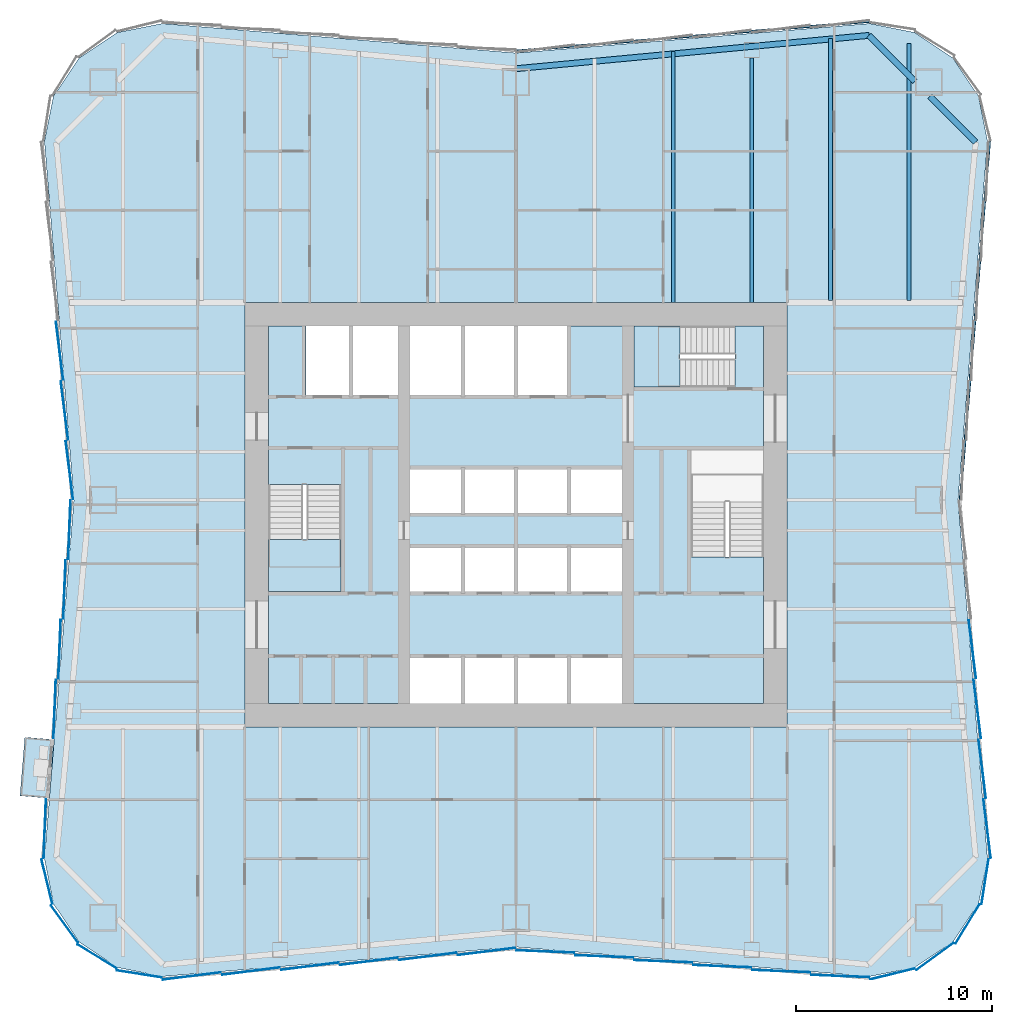
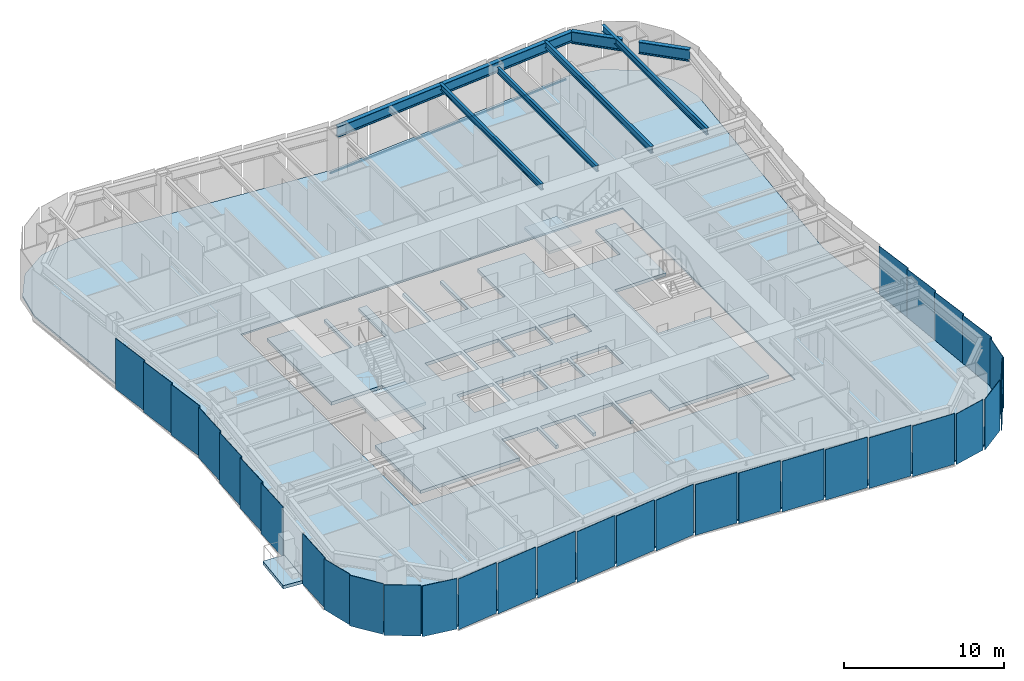
# One storey, part 2 of 9: 32 plates, 7 beams, 5 slabs, 2 members, 8 elements without a shape of their own.
"""IFC4 building model written with IfcOpenShell, lengths in metres."""

from ifc_helpers import new_model, si_unit, direction, frame, origin, origin_2d, place, context, subcontext, project, spatial, polyline, rectangle, i_section, outline, extrude, material, layer, layer_set, material_profile, profile_set, type_object, element, aggregate, save


model = new_model("IFC4")

# Units and contexts
model_context = context("Model", 3, precision=1e-05, world=origin(), true_north=direction((0.0, 1.0)))
body_context = subcontext(model_context, "Body", "Model", "MODEL_VIEW")
ifc_project = project(units=[si_unit("LENGTHUNIT", "METRE"), si_unit("AREAUNIT", "SQUARE_METRE"), si_unit("VOLUMEUNIT", "CUBIC_METRE"), si_unit("PLANEANGLEUNIT", "RADIAN"), si_unit("MASSUNIT", "GRAM", prefix="KILO")], contexts=[model_context])

# Site, building, storey
site_placement = place(None, origin())
site = spatial("IfcSite", under=ifc_project, at=site_placement, CompositionType="ELEMENT")
building_placement = place(site_placement, origin())
building = spatial("IfcBuilding", under=site, at=building_placement, Name="Verdant Reach Tower", CompositionType="ELEMENT")
storey_placement = place(building_placement, frame((0.0, 0.0, 78.0)))
storey = spatial("IfcBuildingStorey", under=building, at=storey_placement, Name="L17", CompositionType="ELEMENT", Elevation=78.0)

# Curtain wall, member
ifc_material_1 = material(Name="Anodised aluminium", Category="aluminium")
curtain_wall_type = type_object("IfcCurtainWallType", Name="EN-CW SYSTEM Z1", PredefinedType="NOTDEFINED", material=ifc_material_1)
curtain_wall_1_placement = place(storey_placement, origin())
curtain_wall_1 = element("IfcCurtainWall", 1, at=curtain_wall_1_placement, inside=storey, type_object=curtain_wall_type, Name="Curtain wall east, L17", PredefinedType="NOTDEFINED")
ifc_material_profile_1 = material_profile(ifc_material_1, rectangle(XDim=0.10009765625, YDim=0.1220703125, at=origin_2d()), Name="Transom 122x100")
ifc_profile_set_1 = profile_set([ifc_material_profile_1], Name="Anodised aluminium")
member_type = type_object("IfcMemberType", Name="EN-TRANSOM Z1", PredefinedType="USERDEFINED", material=ifc_profile_set_1)
member_1_placement = place(storey_placement, frame((22.60546875, 28.781005859375, -0.2890625), z_axis=(0.081886623329, 0.996641651207, 0.0), x_axis=(-0.996641651207, 0.081886623329, 0.0)))
member_1 = element("IfcMember", 2, at=member_1_placement, type_object=member_type, Name="Transom east face part 2 1.1, L17", ObjectType="TRANSOM", PredefinedType="USERDEFINED", context=body_context, shape_type="SweptSolid", body=[
    extrude(rectangle(XDim=0.10009765625, YDim=0.1220703125, at=origin_2d()), origin(), (0.0, 0.0, 1.0), 18.25537109375),
])

curtain_wall_2_placement = place(storey_placement, origin())
curtain_wall_2 = element("IfcCurtainWall", 3, at=curtain_wall_2_placement, inside=storey, type_object=curtain_wall_type, Name="Curtain wall north, L17", PredefinedType="NOTDEFINED")
member_2_placement = place(storey_placement, frame((17.974853515625, 53.100341796875, -0.2890625), z_axis=(-0.996547815143, -0.083020793384, 0.0), x_axis=(0.083020793384, -0.996547815143, 0.0)))
member_2 = element("IfcMember", 4, at=member_2_placement, type_object=member_type, Name="Transom north face part 1 1.1, L17", ObjectType="TRANSOM", PredefinedType="USERDEFINED", context=body_context, shape_type="SweptSolid", body=[
    extrude(rectangle(XDim=0.10009765625, YDim=0.1220703125, at=origin_2d()), origin(), (0.0, 0.0, 1.0), 18.006103515625),
])
aggregate(curtain_wall_2, [member_2])

# Beams
ifc_material_2 = material(Name="Steel S355", Category="steel")
ifc_material_profile_2 = material_profile(ifc_material_2, i_section(OverallWidth=0.18994140625, OverallDepth=0.449951171875, WebThickness=0.009521484375, FlangeThickness=0.0146484375, FilletRadius=0.02099609375, at=origin_2d()), Name="IPE 450")
ifc_profile_set_2 = profile_set([ifc_material_profile_2], Name="Steel S355")
beam_type_1 = type_object("IfcBeamType", Name="ST-JOIST-IPE450", PredefinedType="JOIST", material=ifc_profile_set_2)
beam_1_placement = place(storey_placement, frame((8.0, 38.800048828125, 3.64501953125), z_axis=(0.0, 1.0, 0.0), x_axis=(-1.0, 0.0, 0.0)))
element("IfcBeam", 5, at=beam_1_placement, inside=storey, type_object=beam_type_1, Name="Floor joist, L17", PredefinedType="JOIST", context=body_context, shape_type="SweptSolid", body=[
    extrude(i_section(OverallWidth=0.18994140625, OverallDepth=0.449951171875, WebThickness=0.009521484375, FlangeThickness=0.0146484375, FilletRadius=0.02099609375, at=origin_2d()), origin(), (0.0, 0.0, 1.0), 12.7646484375),
])
beam_2_placement = place(storey_placement, frame((12.0, 38.800048828125, 3.64501953125), z_axis=(0.0, 1.0, 0.0), x_axis=(-1.0, 0.0, 0.0)))
element("IfcBeam", 6, at=beam_2_placement, inside=storey, type_object=beam_type_1, Name="Floor joist, L17", PredefinedType="JOIST", context=body_context, shape_type="SweptSolid", body=[
    extrude(i_section(OverallWidth=0.18994140625, OverallDepth=0.449951171875, WebThickness=0.009521484375, FlangeThickness=0.0146484375, FilletRadius=0.02099609375, at=origin_2d()), origin(), (0.0, 0.0, 1.0), 12.449951171875),
])
ifc_material_profile_3 = material_profile(ifc_material_2, i_section(OverallWidth=0.199951171875, OverallDepth=0.5, WebThickness=0.01025390625, FlangeThickness=0.01611328125, FilletRadius=0.02099609375, at=origin_2d()), Name="IPE 500")
ifc_profile_set_3 = profile_set([ifc_material_profile_3], Name="Steel S355")
beam_type_2 = type_object("IfcBeamType", Name="ST-JOIST-IPE500", PredefinedType="JOIST", material=ifc_profile_set_3)
beam_3_placement = place(storey_placement, frame((16.0, 38.89990234375, 3.6201171875), z_axis=(0.0, 1.0, 0.0), x_axis=(-1.0, 0.0, 0.0)))
element("IfcBeam", 7, at=beam_3_placement, inside=storey, type_object=beam_type_2, Name="Floor joist, L17", PredefinedType="JOIST", context=body_context, shape_type="SweptSolid", body=[
    extrude(i_section(OverallWidth=0.199951171875, OverallDepth=0.5, WebThickness=0.01025390625, FlangeThickness=0.01611328125, FilletRadius=0.02099609375, at=origin_2d()), origin(), (0.0, 0.0, 1.0), 13.331298828125),
])
beam_4_placement = place(storey_placement, frame((20.0, 38.89990234375, 3.6201171875), z_axis=(0.0, 1.0, 0.0), x_axis=(-1.0, 0.0, 0.0)))
element("IfcBeam", 8, at=beam_4_placement, inside=storey, type_object=beam_type_2, Name="Floor joist, L17", PredefinedType="JOIST", context=body_context, shape_type="SweptSolid", body=[
    extrude(i_section(OverallWidth=0.199951171875, OverallDepth=0.5, WebThickness=0.01025390625, FlangeThickness=0.01611328125, FilletRadius=0.02099609375, at=origin_2d()), origin(), (0.0, 0.0, 1.0), 13.090576171875),
])
ifc_material_profile_4 = material_profile(ifc_material_2, i_section(OverallWidth=0.300048828125, OverallDepth=0.800048828125, WebThickness=0.017578125, FlangeThickness=0.032958984375, FilletRadius=0.030029296875, at=origin_2d()), Name="HEB 800")
ifc_profile_set_4 = profile_set([ifc_material_profile_4], Name="Steel S355")
beam_type_3 = type_object("IfcBeamType", Name="ST-SPANDREL-HEB800", PredefinedType="SPANDREL", material=ifc_profile_set_4)
beam_5_placement = place(storey_placement, frame((0.0, 50.699951171875, 3.469970703125), z_axis=(0.995578571765, 0.093932462137, 0.0), x_axis=(-0.093932462137, 0.995578571765, 0.0)))
element("IfcBeam", 9, at=beam_5_placement, inside=storey, type_object=beam_type_3, Name="Edge beam, L17", PredefinedType="SPANDREL", context=body_context, shape_type="SweptSolid", body=[
    extrude(i_section(OverallWidth=0.300048828125, OverallDepth=0.800048828125, WebThickness=0.017578125, FlangeThickness=0.032958984375, FilletRadius=0.030029296875, at=origin_2d()), origin(), (0.0, 0.0, 1.0), 18.045654296875),
])
ifc_material_profile_5 = material_profile(ifc_material_2, i_section(OverallWidth=0.302001953125, OverallDepth=0.909912109375, WebThickness=0.02099609375, FlangeThickness=0.0400390625, FilletRadius=0.030029296875, at=origin_2d()), Name="HEM 900")
ifc_profile_set_5 = profile_set([ifc_material_profile_5], Name="Steel S355")
beam_type_4 = type_object("IfcBeamType", Name="ST-SPANDREL-HEM900", PredefinedType="SPANDREL", material=ifc_profile_set_5)
beam_6_placement = place(storey_placement, frame((17.9658203125, 52.39501953125, 3.4150390625), z_axis=(0.707106781187, -0.707106781187, 0.0), x_axis=(0.707106781187, 0.707106781187, 0.0)))
element("IfcBeam", 10, at=beam_6_placement, inside=storey, type_object=beam_type_4, Name="Edge beam, L17", PredefinedType="SPANDREL", context=body_context, shape_type="SweptSolid", body=[
    extrude(i_section(OverallWidth=0.302001953125, OverallDepth=0.909912109375, WebThickness=0.02099609375, FlangeThickness=0.0400390625, FilletRadius=0.030029296875, at=origin_2d()), origin(), (0.0, 0.0, 1.0), 3.301025390625),
])
beam_7_placement = place(storey_placement, frame((21.060546875, 49.300048828125, 3.4150390625), z_axis=(0.707069807316, -0.707143753123, 0.0), x_axis=(0.707143753123, 0.707069807316, 0.0)))
element("IfcBeam", 11, at=beam_7_placement, inside=storey, type_object=beam_type_4, Name="Edge beam, L17", PredefinedType="SPANDREL", context=body_context, shape_type="SweptSolid", body=[
    extrude(i_section(OverallWidth=0.302001953125, OverallDepth=0.909912109375, WebThickness=0.02099609375, FlangeThickness=0.0400390625, FilletRadius=0.030029296875, at=origin_2d()), origin(), (0.0, 0.0, 1.0), 3.301513671875),
])

# Stair, slab
ifc_material_3 = material(Name="Concrete C40/50", Category="concrete")
stair_type = type_object("IfcStairType", Name="CO-STAIR", PredefinedType="HALF_TURN_STAIR", material=ifc_material_3)
stair_1_placement = place(storey_placement, origin())
stair_1 = element("IfcStair", 12, at=stair_1_placement, inside=storey, type_object=stair_type, Name="L17 Exit stair 1", PredefinedType="HALF_TURN_STAIR")
ifc_layer_1 = layer(ifc_material_3, 0.199951171875)
ifc_layer_set_1 = layer_set([ifc_layer_1], Name="CO-STAIR-LANDING")
slab_type_1 = type_object("IfcSlabType", Name="CO-STAIR-LANDING", PredefinedType="LANDING", material=ifc_layer_set_1)
slab_1_placement = place(storey_placement, frame((0.0, 0.0, 1.800048828125)))
slab_1 = element("IfcSlab", 13, at=slab_1_placement, type_object=slab_type_1, Name="ST-1 landing 1", PredefinedType="LANDING", context=body_context, shape_type="SweptSolid", body=[
    extrude(outline(polyline([(-12.60009765625, 26.75), (-12.60009765625, 24.10009765625), (-8.89990234375, 24.10009765625), (-8.89990234375, 26.75), (-12.60009765625, 26.75)])), origin(), (0.0, 0.0, 1.0), 0.199951171875),
])
aggregate(stair_1, [slab_1])

stair_2_placement = place(storey_placement, origin())
stair_2 = element("IfcStair", 14, at=stair_2_placement, inside=storey, type_object=stair_type, Name="L17 Exit stair 3", PredefinedType="HALF_TURN_STAIR")
slab_2_placement = place(storey_placement, frame((0.0, 0.0, 1.800048828125)))
slab_2 = element("IfcSlab", 15, at=slab_2_placement, type_object=slab_type_1, Name="ST-3 landing 1", PredefinedType="LANDING", context=body_context, shape_type="SweptSolid", body=[
    extrude(outline(polyline([(8.35009765625, 37.60009765625), (6.0, 37.60009765625), (6.0, 34.5), (8.35009765625, 34.5), (8.35009765625, 37.60009765625)])), origin(), (0.0, 0.0, 1.0), 0.199951171875),
])
aggregate(stair_2, [slab_2])

# Slab
ifc_material_4 = material(Name="Concrete C35/45", Category="concrete")
ifc_layer_2 = layer(ifc_material_4, 0.25)
ifc_layer_set_2 = layer_set([ifc_layer_2], Name="EN-BALCONY SLAB")
slab_type_2 = type_object("IfcSlabType", Name="EN-BALCONY SLAB", PredefinedType="FLOOR", material=ifc_layer_set_2)
slab_3_placement = place(storey_placement, frame((0.0, 0.0, -0.25)))
element("IfcSlab", 16, at=slab_3_placement, inside=storey, type_object=slab_type_2, Name="Balcony slab 1, L17", PredefinedType="FLOOR", context=body_context, shape_type="SweptSolid", body=[
    extrude(outline(polyline([(-23.50244140625, 16.552490234375), (-23.74755859375, 13.572509765625), (-25.242431640625, 13.695556640625), (-24.99755859375, 16.67529296875), (-23.50244140625, 16.552490234375)])), origin(), (0.0, 0.0, 1.0), 0.25),
])

# Curtain wall, plate
curtain_wall_3_placement = place(storey_placement, origin())
curtain_wall_3 = element("IfcCurtainWall", 17, at=curtain_wall_3_placement, inside=storey, type_object=curtain_wall_type, Name="Curtain wall south-east corner, L17", PredefinedType="NOTDEFINED")
ifc_material_5 = material(Name="Tinted glass with champagne spandrel", Category="glass")
ifc_layer_3 = layer(ifc_material_5, 0.031982421875)
ifc_layer_set_3 = layer_set([ifc_layer_3], Name="EN-PANEL CHAMPAGNE")
plate_type_1 = type_object("IfcPlateType", Name="EN-PANEL CHAMPAGNE", PredefinedType="CURTAIN_PANEL", material=ifc_layer_set_3)
plate_1_placement = place(storey_placement, frame((19.170654296875, 4.62939453125, -0.22802734375), z_axis=(0.0, 0.0, 1.0), x_axis=(0.971660685934, 0.236380014828, 0.0)))
plate_1 = element("IfcPlate", 18, at=plate_1_placement, type_object=plate_type_1, Name="Glass panel south-east corner 1.1, L17", PredefinedType="CURTAIN_PANEL", context=body_context, shape_type="SweptSolid", body=[
    extrude(rectangle(XDim=2.317626953125, YDim=0.031982421875, at=origin_2d()), origin(), (0.0, 0.0, 1.0), 3.8779296875),
])

# Curtain wall, plates
curtain_wall_4_placement = place(storey_placement, origin())
curtain_wall_4 = element("IfcCurtainWall", 19, at=curtain_wall_4_placement, inside=storey, type_object=curtain_wall_type, Name="Curtain wall west, L17", PredefinedType="NOTDEFINED")
plate_2_placement = place(storey_placement, frame((-23.2275390625, 21.154296875, -0.22802734375), z_axis=(0.0, 0.0, 1.0), x_axis=(-0.040108781752, -0.999195319057, 0.0)))
plate_2 = element("IfcPlate", 20, at=plate_2_placement, type_object=plate_type_1, Name="Glass panel west face part 2 3.1, L17", PredefinedType="CURTAIN_PANEL", context=body_context, shape_type="SweptSolid", body=[
    extrude(rectangle(XDim=2.993896484375, YDim=0.031982421875, at=origin_2d()), origin(), (0.0, 0.0, 1.0), 3.8779296875),
])
plate_3_placement = place(storey_placement, frame((-23.4775390625, 18.112548828125, -0.22802734375), z_axis=(0.0, 0.0, 1.0), x_axis=(-0.040108781752, -0.999195319057, 0.0)))
plate_3 = element("IfcPlate", 21, at=plate_3_placement, type_object=plate_type_1, Name="Glass panel west face part 2 4.1, L17", PredefinedType="CURTAIN_PANEL", context=body_context, shape_type="SweptSolid", body=[
    extrude(rectangle(XDim=2.993896484375, YDim=0.031982421875, at=origin_2d()), origin(), (0.0, 0.0, 1.0), 3.8779296875),
])

curtain_wall_5_placement = place(storey_placement, origin())
curtain_wall_5 = element("IfcCurtainWall", 22, at=curtain_wall_5_placement, inside=storey, type_object=curtain_wall_type, Name="Curtain wall south-west corner, L17", PredefinedType="NOTDEFINED")
plate_4_placement = place(storey_placement, frame((-22.97705078125, 7.174560546875, -0.22802734375), z_axis=(0.0, 0.0, 1.0), x_axis=(0.589926768145, -0.807456753161, 0.0)))
plate_4 = element("IfcPlate", 23, at=plate_4_placement, type_object=plate_type_1, Name="Glass panel south-west corner 2.1, L17", PredefinedType="CURTAIN_PANEL", context=body_context, shape_type="SweptSolid", body=[
    extrude(rectangle(XDim=2.3232421875, YDim=0.031982421875, at=origin_2d()), origin(), (0.0, 0.0, 1.0), 3.8779296875),
])
plate_5_placement = place(storey_placement, frame((-21.325439453125, 5.52294921875, -0.22802734375), z_axis=(0.0, 0.0, 1.0), x_axis=(0.85398868836, -0.520291572248, 0.0)))
plate_5 = element("IfcPlate", 24, at=plate_5_placement, type_object=plate_type_1, Name="Glass panel south-west corner 3.1, L17", PredefinedType="CURTAIN_PANEL", context=body_context, shape_type="SweptSolid", body=[
    extrude(rectangle(XDim=2.3232421875, YDim=0.031982421875, at=origin_2d()), origin(), (0.0, 0.0, 1.0), 3.8779296875),
])

curtain_wall_6_placement = place(storey_placement, origin())
curtain_wall_6 = element("IfcCurtainWall", 25, at=curtain_wall_6_placement, inside=storey, type_object=curtain_wall_type, Name="Curtain wall south, L17", PredefinedType="NOTDEFINED")
plate_6_placement = place(storey_placement, frame((-16.49853515625, 4.522216796875, -0.22802734375), z_axis=(0.0, 0.0, 1.0), x_axis=(0.99223537376, 0.124374286167, 0.0)))
plate_6 = element("IfcPlate", 26, at=plate_6_placement, type_object=plate_type_1, Name="Glass panel south face part 1 1.1, L17", PredefinedType="CURTAIN_PANEL", context=body_context, shape_type="SweptSolid", body=[
    extrude(rectangle(XDim=2.966796875, YDim=0.031982421875, at=origin_2d()), origin(), (0.0, 0.0, 1.0), 3.8779296875),
])
plate_7_placement = place(storey_placement, frame((1.49560546875, 5.772216796875, -0.22802734375), z_axis=(0.0, 0.0, 1.0), x_axis=(0.99914430697, -0.041360051381, 0.0)))
plate_7 = element("IfcPlate", 27, at=plate_7_placement, type_object=plate_type_1, Name="Glass panel south face part 2 1.1, L17", PredefinedType="CURTAIN_PANEL", context=body_context, shape_type="SweptSolid", body=[
    extrude(rectangle(XDim=2.94384765625, YDim=0.031982421875, at=origin_2d()), origin(), (0.0, 0.0, 1.0), 3.8779296875),
])
plate_8_placement = place(storey_placement, frame((4.491455078125, 5.5224609375, -0.22802734375), z_axis=(0.0, 0.0, 1.0), x_axis=(0.999149202059, -0.041241629766, 0.0)))
plate_8 = element("IfcPlate", 28, at=plate_8_placement, type_object=plate_type_1, Name="Glass panel south face part 2 2.1, L17", PredefinedType="CURTAIN_PANEL", context=body_context, shape_type="SweptSolid", body=[
    extrude(rectangle(XDim=2.952392578125, YDim=0.031982421875, at=origin_2d()), origin(), (0.0, 0.0, 1.0), 3.8779296875),
])
plate_9_placement = place(storey_placement, frame((7.491455078125, 5.2724609375, -0.22802734375), z_axis=(0.0, 0.0, 1.0), x_axis=(0.999149202059, -0.041241629766, 0.0)))
plate_9 = element("IfcPlate", 29, at=plate_9_placement, type_object=plate_type_1, Name="Glass panel south face part 2 3.1, L17", PredefinedType="CURTAIN_PANEL", context=body_context, shape_type="SweptSolid", body=[
    extrude(rectangle(XDim=2.952392578125, YDim=0.031982421875, at=origin_2d()), origin(), (0.0, 0.0, 1.0), 3.8779296875),
])

# Plate
ifc_material_6 = material(Name="Tinted glass with copper spandrel", Category="glass")
ifc_layer_4 = layer(ifc_material_6, 0.031982421875)
ifc_layer_set_4 = layer_set([ifc_layer_4], Name="EN-PANEL COPPER")
plate_type_2 = type_object("IfcPlateType", Name="EN-PANEL COPPER", PredefinedType="CURTAIN_PANEL", material=ifc_layer_set_4)
plate_10_placement = place(storey_placement, frame((21.325439453125, 5.52294921875, -0.22802734375), z_axis=(0.0, 0.0, 1.0), x_axis=(0.807456753161, 0.589926768145, 0.0)))
plate_10 = element("IfcPlate", 30, at=plate_10_placement, type_object=plate_type_2, Name="Glass panel south-east corner 2.1, L17", PredefinedType="CURTAIN_PANEL", context=body_context, shape_type="SweptSolid", body=[
    extrude(rectangle(XDim=2.3232421875, YDim=0.031982421875, at=origin_2d()), origin(), (0.0, 0.0, 1.0), 3.8779296875),
])

plate_11_placement = place(storey_placement, frame((22.97705078125, 7.174560546875, -0.22802734375), z_axis=(0.0, 0.0, 1.0), x_axis=(0.520291572248, 0.85398868836, 0.0)))
plate_11 = element("IfcPlate", 31, at=plate_11_placement, type_object=plate_type_2, Name="Glass panel south-east corner 3.1, L17", PredefinedType="CURTAIN_PANEL", context=body_context, shape_type="SweptSolid", body=[
    extrude(rectangle(XDim=2.3232421875, YDim=0.031982421875, at=origin_2d()), origin(), (0.0, 0.0, 1.0), 3.8779296875),
])

plate_12_placement = place(storey_placement, frame((23.87060546875, 9.329345703125, -0.22802734375), z_axis=(0.0, 0.0, 1.0), x_axis=(0.154247912016, 0.988032176419, 0.0)))
plate_12 = element("IfcPlate", 32, at=plate_12_placement, type_object=plate_type_2, Name="Glass panel south-east corner 4.1, L17", PredefinedType="CURTAIN_PANEL", context=body_context, shape_type="SweptSolid", body=[
    extrude(rectangle(XDim=2.3173828125, YDim=0.031982421875, at=origin_2d()), origin(), (0.0, 0.0, 1.0), 3.8779296875),
])

aggregate(curtain_wall_3, [plate_1, plate_10, plate_11, plate_12])

plate_13_placement = place(storey_placement, frame((23.977783203125, 12.022216796875, -0.22802734375), z_axis=(0.0, 0.0, 1.0), x_axis=(-0.123256305275, 0.992374870304, 0.0)))
plate_13 = element("IfcPlate", 33, at=plate_13_placement, type_object=plate_type_2, Name="Glass panel east face part 1 1.1, L17", PredefinedType="CURTAIN_PANEL", context=body_context, shape_type="SweptSolid", body=[
    extrude(rectangle(XDim=3.00830078125, YDim=0.031982421875, at=origin_2d()), origin(), (0.0, 0.0, 1.0), 3.8779296875),
])

plate_14_placement = place(storey_placement, frame((23.7275390625, 15.071044921875, -0.22802734375), z_axis=(0.0, 0.0, 1.0), x_axis=(-0.123578623975, 0.992334784081, 0.0)))
plate_14 = element("IfcPlate", 34, at=plate_14_placement, type_object=plate_type_2, Name="Glass panel east face part 1 2.1, L17", PredefinedType="CURTAIN_PANEL", context=body_context, shape_type="SweptSolid", body=[
    extrude(rectangle(XDim=2.993896484375, YDim=0.031982421875, at=origin_2d()), origin(), (0.0, 0.0, 1.0), 3.8779296875),
])

plate_15_placement = place(storey_placement, frame((-23.2275390625, 36.345703125, -0.22802734375), z_axis=(0.0, 0.0, 1.0), x_axis=(0.123578623975, -0.992334784081, 0.0)))
plate_15 = element("IfcPlate", 35, at=plate_15_placement, type_object=plate_type_2, Name="Glass panel west face part 1 4.1, L17", PredefinedType="CURTAIN_PANEL", context=body_context, shape_type="SweptSolid", body=[
    extrude(rectangle(XDim=2.993896484375, YDim=0.031982421875, at=origin_2d()), origin(), (0.0, 0.0, 1.0), 3.8779296875),
])

plate_16_placement = place(storey_placement, frame((-22.9775390625, 33.303955078125, -0.22802734375), z_axis=(0.0, 0.0, 1.0), x_axis=(0.123578623975, -0.992334784081, 0.0)))
plate_16 = element("IfcPlate", 36, at=plate_16_placement, type_object=plate_type_2, Name="Glass panel west face part 1 5.1, L17", PredefinedType="CURTAIN_PANEL", context=body_context, shape_type="SweptSolid", body=[
    extrude(rectangle(XDim=2.993896484375, YDim=0.031982421875, at=origin_2d()), origin(), (0.0, 0.0, 1.0), 3.8779296875),
])

plate_17_placement = place(storey_placement, frame((-22.727783203125, 30.2666015625, -0.22802734375), z_axis=(0.0, 0.0, 1.0), x_axis=(0.123691487663, -0.992320722287, 0.0)))
plate_17 = element("IfcPlate", 37, at=plate_17_placement, type_object=plate_type_2, Name="Glass panel west face part 1 6.1, L17", PredefinedType="CURTAIN_PANEL", context=body_context, shape_type="SweptSolid", body=[
    extrude(rectangle(XDim=2.985595703125, YDim=0.031982421875, at=origin_2d()), origin(), (0.0, 0.0, 1.0), 3.8779296875),
])

plate_18_placement = place(storey_placement, frame((-23.977783203125, 12.022216796875, -0.22802734375), z_axis=(0.0, 0.0, 1.0), x_axis=(-0.039784239139, -0.999208293759, 0.0)))
plate_18 = element("IfcPlate", 38, at=plate_18_placement, type_object=plate_type_2, Name="Glass panel west face part 2 6.1, L17", PredefinedType="CURTAIN_PANEL", context=body_context, shape_type="SweptSolid", body=[
    extrude(rectangle(XDim=3.00830078125, YDim=0.031982421875, at=origin_2d()), origin(), (0.0, 0.0, 1.0), 3.8779296875),
])

plate_19_placement = place(storey_placement, frame((-19.170654296875, 4.62939453125, -0.22802734375), z_axis=(0.0, 0.0, 1.0), x_axis=(0.988032704995, -0.154244526195, 0.0)))
plate_19 = element("IfcPlate", 39, at=plate_19_placement, type_object=plate_type_2, Name="Glass panel south-west corner 4.1, L17", PredefinedType="CURTAIN_PANEL", context=body_context, shape_type="SweptSolid", body=[
    extrude(rectangle(XDim=2.317626953125, YDim=0.031982421875, at=origin_2d()), origin(), (0.0, 0.0, 1.0), 3.8779296875),
])

plate_20_placement = place(storey_placement, frame((-13.491455078125, 4.7724609375, -0.22802734375), z_axis=(0.0, 0.0, 1.0), x_axis=(0.992194034542, 0.124703639961, 0.0)))
plate_20 = element("IfcPlate", 40, at=plate_20_placement, type_object=plate_type_2, Name="Glass panel south face part 1 2.1, L17", PredefinedType="CURTAIN_PANEL", context=body_context, shape_type="SweptSolid", body=[
    extrude(rectangle(XDim=2.952392578125, YDim=0.031982421875, at=origin_2d()), origin(), (0.0, 0.0, 1.0), 3.8779296875),
])

plate_21_placement = place(storey_placement, frame((-10.491455078125, 5.0224609375, -0.22802734375), z_axis=(0.0, 0.0, 1.0), x_axis=(0.992194034542, 0.124703639961, 0.0)))
plate_21 = element("IfcPlate", 41, at=plate_21_placement, type_object=plate_type_2, Name="Glass panel south face part 1 3.1, L17", PredefinedType="CURTAIN_PANEL", context=body_context, shape_type="SweptSolid", body=[
    extrude(rectangle(XDim=2.952392578125, YDim=0.031982421875, at=origin_2d()), origin(), (0.0, 0.0, 1.0), 3.8779296875),
])

plate_22_placement = place(storey_placement, frame((-7.491455078125, 5.2724609375, -0.22802734375), z_axis=(0.0, 0.0, 1.0), x_axis=(0.992194034542, 0.124703639961, 0.0)))
plate_22 = element("IfcPlate", 42, at=plate_22_placement, type_object=plate_type_2, Name="Glass panel south face part 1 4.1, L17", PredefinedType="CURTAIN_PANEL", context=body_context, shape_type="SweptSolid", body=[
    extrude(rectangle(XDim=2.952392578125, YDim=0.031982421875, at=origin_2d()), origin(), (0.0, 0.0, 1.0), 3.8779296875),
])

plate_23_placement = place(storey_placement, frame((10.491455078125, 5.0224609375, -0.22802734375), z_axis=(0.0, 0.0, 1.0), x_axis=(0.999149202059, -0.041241629766, 0.0)))
plate_23 = element("IfcPlate", 43, at=plate_23_placement, type_object=plate_type_2, Name="Glass panel south face part 2 4.1, L17", PredefinedType="CURTAIN_PANEL", context=body_context, shape_type="SweptSolid", body=[
    extrude(rectangle(XDim=2.952392578125, YDim=0.031982421875, at=origin_2d()), origin(), (0.0, 0.0, 1.0), 3.8779296875),
])

plate_24_placement = place(storey_placement, frame((13.491455078125, 4.7724609375, -0.22802734375), z_axis=(0.0, 0.0, 1.0), x_axis=(0.999149202059, -0.041241629766, 0.0)))
plate_24 = element("IfcPlate", 44, at=plate_24_placement, type_object=plate_type_2, Name="Glass panel south face part 2 5.1, L17", PredefinedType="CURTAIN_PANEL", context=body_context, shape_type="SweptSolid", body=[
    extrude(rectangle(XDim=2.952392578125, YDim=0.031982421875, at=origin_2d()), origin(), (0.0, 0.0, 1.0), 3.8779296875),
])

ifc_material_7 = material(Name="Tinted glass with dark bronze spandrel", Category="glass")
ifc_layer_5 = layer(ifc_material_7, 0.031982421875)
ifc_layer_set_5 = layer_set([ifc_layer_5], Name="EN-PANEL DARK")
plate_type_3 = type_object("IfcPlateType", Name="EN-PANEL DARK", PredefinedType="CURTAIN_PANEL", material=ifc_layer_set_5)
plate_25_placement = place(storey_placement, frame((23.4775390625, 18.112548828125, -0.22802734375), z_axis=(0.0, 0.0, 1.0), x_axis=(-0.123578623975, 0.992334784081, 0.0)))
plate_25 = element("IfcPlate", 45, at=plate_25_placement, type_object=plate_type_3, Name="Glass panel east face part 1 3.1, L17", PredefinedType="CURTAIN_PANEL", context=body_context, shape_type="SweptSolid", body=[
    extrude(rectangle(XDim=2.993896484375, YDim=0.031982421875, at=origin_2d()), origin(), (0.0, 0.0, 1.0), 3.8779296875),
])

plate_26_placement = place(storey_placement, frame((23.2275390625, 21.154296875, -0.22802734375), z_axis=(0.0, 0.0, 1.0), x_axis=(-0.123578623975, 0.992334784081, 0.0)))
plate_26 = element("IfcPlate", 46, at=plate_26_placement, type_object=plate_type_3, Name="Glass panel east face part 1 4.1, L17", PredefinedType="CURTAIN_PANEL", context=body_context, shape_type="SweptSolid", body=[
    extrude(rectangle(XDim=2.993896484375, YDim=0.031982421875, at=origin_2d()), origin(), (0.0, 0.0, 1.0), 3.8779296875),
])

aggregate(curtain_wall_1, [plate_13, plate_14, plate_25, plate_26, member_1])

plate_27_placement = place(storey_placement, frame((-22.727783203125, 27.2333984375, -0.22802734375), z_axis=(0.0, 0.0, 1.0), x_axis=(-0.040222426271, -0.99919075077, 0.0)))
plate_27 = element("IfcPlate", 47, at=plate_27_placement, type_object=plate_type_3, Name="Glass panel west face part 2 1.1, L17", PredefinedType="CURTAIN_PANEL", context=body_context, shape_type="SweptSolid", body=[
    extrude(rectangle(XDim=2.985595703125, YDim=0.031982421875, at=origin_2d()), origin(), (0.0, 0.0, 1.0), 3.8779296875),
])

plate_28_placement = place(storey_placement, frame((-22.9775390625, 24.196044921875, -0.22802734375), z_axis=(0.0, 0.0, 1.0), x_axis=(-0.040108781752, -0.999195319057, 0.0)))
plate_28 = element("IfcPlate", 48, at=plate_28_placement, type_object=plate_type_3, Name="Glass panel west face part 2 2.1, L17", PredefinedType="CURTAIN_PANEL", context=body_context, shape_type="SweptSolid", body=[
    extrude(rectangle(XDim=2.993896484375, YDim=0.031982421875, at=origin_2d()), origin(), (0.0, 0.0, 1.0), 3.8779296875),
])

aggregate(curtain_wall_4, [plate_15, plate_16, plate_17, plate_27, plate_28, plate_2, plate_3, plate_18])

plate_29_placement = place(storey_placement, frame((-23.87060546875, 9.329345703125, -0.22802734375), z_axis=(0.0, 0.0, 1.0), x_axis=(0.236383344544, -0.971659875894, 0.0)))
plate_29 = element("IfcPlate", 49, at=plate_29_placement, type_object=plate_type_3, Name="Glass panel south-west corner 1.1, L17", PredefinedType="CURTAIN_PANEL", context=body_context, shape_type="SweptSolid", body=[
    extrude(rectangle(XDim=2.3173828125, YDim=0.031982421875, at=origin_2d()), origin(), (0.0, 0.0, 1.0), 3.8779296875),
])

aggregate(curtain_wall_5, [plate_29, plate_4, plate_5, plate_19])

plate_30_placement = place(storey_placement, frame((-4.491455078125, 5.5224609375, -0.22802734375), z_axis=(0.0, 0.0, 1.0), x_axis=(0.992194034542, 0.124703639961, 0.0)))
plate_30 = element("IfcPlate", 50, at=plate_30_placement, type_object=plate_type_3, Name="Glass panel south face part 1 5.1, L17", PredefinedType="CURTAIN_PANEL", context=body_context, shape_type="SweptSolid", body=[
    extrude(rectangle(XDim=2.952392578125, YDim=0.031982421875, at=origin_2d()), origin(), (0.0, 0.0, 1.0), 3.8779296875),
])

plate_31_placement = place(storey_placement, frame((-1.49560546875, 5.772216796875, -0.22802734375), z_axis=(0.0, 0.0, 1.0), x_axis=(0.992179247355, 0.124821236644, 0.0)))
plate_31 = element("IfcPlate", 51, at=plate_31_placement, type_object=plate_type_3, Name="Glass panel south face part 1 6.1, L17", PredefinedType="CURTAIN_PANEL", context=body_context, shape_type="SweptSolid", body=[
    extrude(rectangle(XDim=2.94384765625, YDim=0.031982421875, at=origin_2d()), origin(), (0.0, 0.0, 1.0), 3.8779296875),
])

plate_32_placement = place(storey_placement, frame((16.49853515625, 4.522216796875, -0.22802734375), z_axis=(0.0, 0.0, 1.0), x_axis=(0.999162836679, -0.040909971885, 0.0)))
plate_32 = element("IfcPlate", 52, at=plate_32_placement, type_object=plate_type_3, Name="Glass panel south face part 2 6.1, L17", PredefinedType="CURTAIN_PANEL", context=body_context, shape_type="SweptSolid", body=[
    extrude(rectangle(XDim=2.966796875, YDim=0.031982421875, at=origin_2d()), origin(), (0.0, 0.0, 1.0), 3.8779296875),
])

aggregate(curtain_wall_6, [plate_6, plate_20, plate_21, plate_22, plate_30, plate_31, plate_7, plate_8, plate_9, plate_23, plate_24, plate_32])

# Slabs
ifc_material_8 = material(Name="Concrete C35/45", Category="concrete")
ifc_layer_6 = layer(ifc_material_8, 0.1298828125)
ifc_layer_set_6 = layer_set([ifc_layer_6], Name="ST-SLAB-130")
slab_type_3 = type_object("IfcSlabType", Name="ST-SLAB-130", PredefinedType="FLOOR", material=ifc_layer_set_6)
slab_4_placement = place(storey_placement, frame((0.0, 0.0, -0.1298828125)))
element("IfcSlab", 53, at=slab_4_placement, inside=storey, type_object=slab_type_3, Name="Floor slab L17", PredefinedType="FLOOR", context=body_context, shape_type="SweptSolid", body=[
    extrude(outline(polyline([(0.0, 6.0), (-18.0, 4.5), (-20.296142578125, 4.956787109375), (-22.24267578125, 6.25732421875), (-23.543212890625, 8.203857421875), (-24.0, 10.5), (-22.5, 28.75), (-24.0, 47.0), (-23.543212890625, 49.296142578125), (-22.24267578125, 51.24267578125), (-20.296142578125, 52.543212890625), (-18.0, 53.0), (0.0, 51.5), (18.0, 53.0), (20.296142578125, 52.543212890625), (22.24267578125, 51.24267578125), (23.543212890625, 49.296142578125), (24.0, 47.0), (22.5, 28.75), (24.0, 10.5), (23.543212890625, 8.203857421875), (22.24267578125, 6.25732421875), (20.296142578125, 4.956787109375), (18.0, 4.5), (0.0, 6.0)]), holes=[polyline([(13.800048828125, 38.800048828125), (-13.800048828125, 38.800048828125), (-13.800048828125, 17.199951171875), (13.800048828125, 17.199951171875), (13.800048828125, 38.800048828125)])]), origin(), (0.0, 0.0, 1.0), 0.1298828125),
])
ifc_layer_7 = layer(ifc_material_8, 0.25)
ifc_layer_set_7 = layer_set([ifc_layer_7], Name="ST-SLAB-250")
slab_type_4 = type_object("IfcSlabType", Name="ST-SLAB-250", PredefinedType="FLOOR", material=ifc_layer_set_7)
slab_5_placement = place(storey_placement, frame((0.0, 0.0, -0.25)))
element("IfcSlab", 54, at=slab_5_placement, inside=storey, type_object=slab_type_4, Name="Core floor slab L17", PredefinedType="FLOOR", context=body_context, shape_type="SweptSolid", body=[
    extrude(outline(polyline([(12.60009765625, 18.39990234375), (5.39990234375, 18.39990234375), (5.39990234375, 20.699951171875), (2.800048828125, 20.699951171875), (2.800048828125, 18.39990234375), (2.60009765625, 18.39990234375), (2.60009765625, 20.699951171875), (0.10009765625, 20.699951171875), (0.10009765625, 18.39990234375), (-0.10009765625, 18.39990234375), (-0.10009765625, 20.699951171875), (-2.60009765625, 20.699951171875), (-2.60009765625, 18.39990234375), (-2.800048828125, 18.39990234375), (-2.800048828125, 20.699951171875), (-5.39990234375, 20.699951171875), (-5.39990234375, 18.39990234375), (-12.60009765625, 18.39990234375), (-12.60009765625, 24.10009765625), (-8.89990234375, 24.10009765625), (-8.89990234375, 29.548095703125), (-12.60009765625, 29.548095703125), (-12.60009765625, 37.60009765625), (-10.699951171875, 37.60009765625), (-10.699951171875, 34.10009765625), (-8.5, 34.10009765625), (-8.5, 37.60009765625), (-8.300048828125, 37.60009765625), (-8.300048828125, 34.10009765625), (-6.0, 34.10009765625), (-6.0, 37.60009765625), (-5.39990234375, 37.60009765625), (-5.39990234375, 34.10009765625), (-2.800048828125, 34.10009765625), (-2.800048828125, 37.60009765625), (-2.60009765625, 37.60009765625), (-2.60009765625, 34.10009765625), (-0.10009765625, 34.10009765625), (-0.10009765625, 37.60009765625), (0.10009765625, 37.60009765625), (0.10009765625, 34.10009765625), (2.60009765625, 34.10009765625), (2.60009765625, 37.60009765625), (6.0, 37.60009765625), (6.0, 34.5), (11.14794921875, 34.5), (11.14794921875, 37.60009765625), (12.60009765625, 37.60009765625), (12.60009765625, 31.300048828125), (8.89990234375, 31.300048828125), (8.89990234375, 25.85205078125), (12.60009765625, 25.85205078125), (12.60009765625, 18.39990234375)]), holes=[polyline([(-2.800048828125, 24.10009765625), (-2.800048828125, 26.300048828125), (-5.39990234375, 26.300048828125), (-5.39990234375, 24.10009765625), (-2.800048828125, 24.10009765625)]), polyline([(-2.60009765625, 24.10009765625), (-0.10009765625, 24.10009765625), (-0.10009765625, 26.300048828125), (-2.60009765625, 26.300048828125), (-2.60009765625, 24.10009765625)]), polyline([(-2.800048828125, 28.10009765625), (-2.800048828125, 30.300048828125), (-5.39990234375, 30.300048828125), (-5.39990234375, 28.10009765625), (-2.800048828125, 28.10009765625)]), polyline([(-0.10009765625, 28.10009765625), (-0.10009765625, 30.300048828125), (-2.60009765625, 30.300048828125), (-2.60009765625, 28.10009765625), (-0.10009765625, 28.10009765625)]), polyline([(2.60009765625, 24.10009765625), (2.60009765625, 26.300048828125), (0.10009765625, 26.300048828125), (0.10009765625, 24.10009765625), (2.60009765625, 24.10009765625)]), polyline([(2.800048828125, 24.10009765625), (5.39990234375, 24.10009765625), (5.39990234375, 26.300048828125), (2.800048828125, 26.300048828125), (2.800048828125, 24.10009765625)]), polyline([(2.60009765625, 28.10009765625), (2.60009765625, 30.300048828125), (0.10009765625, 30.300048828125), (0.10009765625, 28.10009765625), (2.60009765625, 28.10009765625)]), polyline([(5.39990234375, 28.10009765625), (5.39990234375, 30.300048828125), (2.800048828125, 30.300048828125), (2.800048828125, 28.10009765625), (5.39990234375, 28.10009765625)])]), origin(), (0.0, 0.0, 1.0), 0.25),
])

save(model, "model.ifc")
